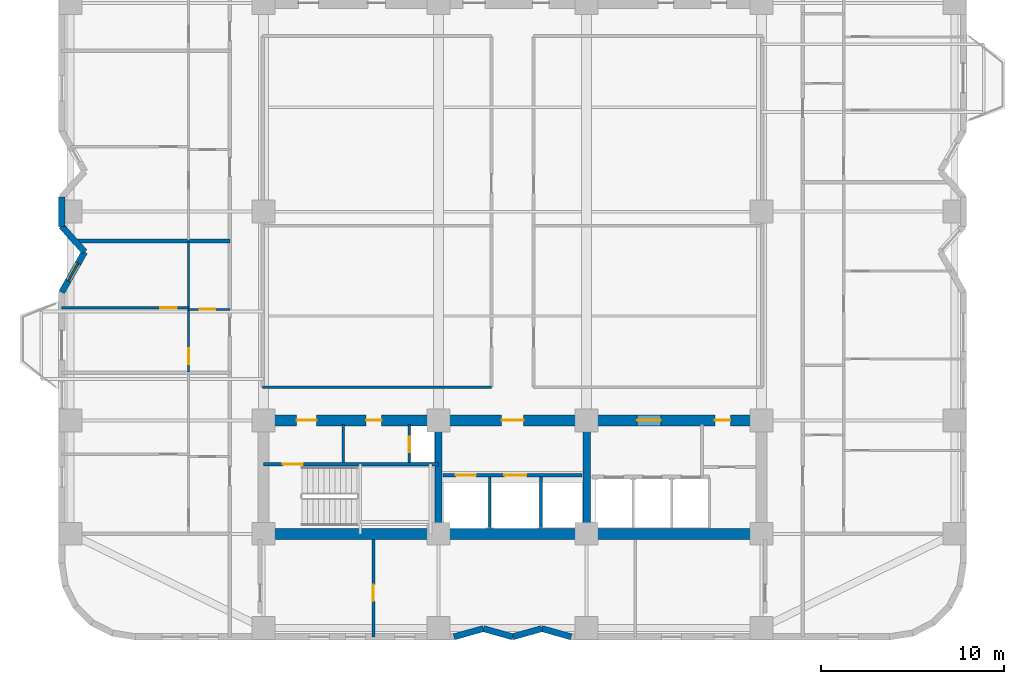
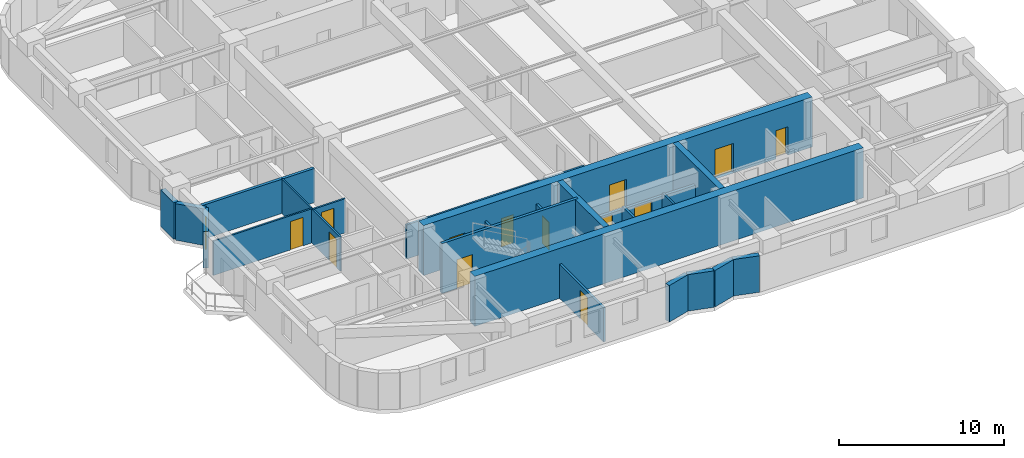
# One storey, part 3 of 9: 23 walls, 13 doors, 1 window, 14 openings.
"""IFC4 building model written with IfcOpenShell, lengths in metres."""

from ifc_helpers import new_model, si_unit, direction, frame, frame_2d, origin, place, context, subcontext, project, spatial, rectangle, extrude, material, layer, layer_set, type_object, element, fill, save


model = new_model("IFC4")

# Units and contexts
model_context = context("Model", 3, precision=1e-05, world=origin(), true_north=direction((0.0, 1.0)))
body_context = subcontext(model_context, "Body", "Model", "MODEL_VIEW")
ifc_project = project(units=[si_unit("LENGTHUNIT", "METRE"), si_unit("AREAUNIT", "SQUARE_METRE"), si_unit("VOLUMEUNIT", "CUBIC_METRE"), si_unit("PLANEANGLEUNIT", "RADIAN"), si_unit("MASSUNIT", "GRAM", prefix="KILO")], contexts=[model_context])

# Site, building, storey
site_placement = place(None, origin())
site = spatial("IfcSite", under=ifc_project, at=site_placement, CompositionType="ELEMENT")
building_placement = place(site_placement, origin())
building = spatial("IfcBuilding", under=site, at=building_placement, Name="Svetorya Sky Lyceum", CompositionType="ELEMENT")
storey_placement = place(building_placement, frame((0.0, 0.0, 54.699951171875)))
storey = spatial("IfcBuildingStorey", under=building, at=storey_placement, Name="L13", CompositionType="ELEMENT", Elevation=54.699951171875)

# Walls
ifc_material_1 = material(Name="Concrete C40/50", Category="concrete")
ifc_layer_1 = layer(ifc_material_1, 0.39990234375)
ifc_layer_set_1 = layer_set([ifc_layer_1], Name="Concrete C40/50")
wall_type_1 = type_object("IfcWallType", Name="WL-CORE-400", PredefinedType="SHEAR", material=ifc_layer_set_1)
for number, where, z_axis, x_axis, name in (
    (1, (35.14990234375, 10.89990234375, 0.0), (0.0, 0.0, 1.0), (0.0, 1.0, 0.0), "L13 SC Internal Shear Web WEB1"),
    (2, (43.25, 10.89990234375, 0.0), (0.0, 0.0, 1.0), (0.0, 1.0, 0.0), "L13 SC Internal Shear Web WEB2"),
):
    element("IfcWall", number, at=place(storey_placement, frame(where, z_axis=z_axis, x_axis=x_axis)), inside=storey, type_object=wall_type_1, Name=name, PredefinedType="SHEAR", context=body_context, shape_type="SweptSolid", body=[
        extrude(rectangle(XDim=5.60009765625, YDim=0.39990234375, at=frame_2d((2.800048828125, 0.0))), origin(), (0.0, 0.0, 1.0), 3.699951171875),
    ])
ifc_material_2 = material(Name="Concrete C60/75", Category="concrete")
ifc_layer_2 = layer(ifc_material_2, 0.60009765625)
ifc_layer_set_2 = layer_set([ifc_layer_2], Name="Concrete C60/75")
wall_type_2 = type_object("IfcWallType", Name="WL-CORE-600", PredefinedType="SHEAR", material=ifc_layer_set_2)
wall_1_placement = place(storey_placement, frame((52.800048828125, 10.60009765625, 0.0), z_axis=(0.0, 0.0, 1.0), x_axis=(-1.0, 0.0, 0.0)))
element("IfcWall", 3, at=wall_1_placement, inside=storey, type_object=wall_type_2, Name="L13 SC Outer Core Shear Wall", PredefinedType="SHEAR", context=body_context, shape_type="SweptSolid", body=[
    extrude(rectangle(XDim=27.199951171875, YDim=0.60009765625, at=frame_2d((13.60009765625, 0.0))), origin(), (0.0, 0.0, 1.0), 3.699951171875),
])

# Wall, openings, doors
wall_2_placement = place(storey_placement, frame((25.60009765625, 16.800048828125, 0.0), z_axis=(0.0, 0.0, 1.0), x_axis=(1.0, 0.0, 0.0)))
wall_2 = element("IfcWall", 4, at=wall_2_placement, inside=storey, type_object=wall_type_2, Name="L13 SC Inner Core Shear Wall", PredefinedType="SHEAR", context=body_context, shape_type="SweptSolid", body=[
    extrude(rectangle(XDim=27.199951171875, YDim=0.60009765625, at=frame_2d((13.60009765625, 0.0))), origin(), (0.0, 0.0, 1.0), 3.699951171875),
])
opening_1_placement = place(wall_2_placement, frame((1.800048828125, 0.0, 0.0)))
opening_1 = element("IfcOpeningElement", 5, at=opening_1_placement, cuts=wall_2, Name="Opening D-ST1", PredefinedType="OPENING", context=body_context, shape_type="SweptSolid", body=[
    extrude(rectangle(XDim=1.10009765625, YDim=2.14990234375, at=frame_2d((0.550048828125, 1.074951171875))), frame((0.0, 0.31005859375, 0.0), z_axis=(0.0, -1.0, 0.0), x_axis=(1.0, 0.0, 0.0)), (0.0, 0.0, 1.0), 0.6201171875),
])
opening_2_placement = place(wall_2_placement, frame((5.60009765625, 0.0, 0.0)))
opening_2 = element("IfcOpeningElement", 6, at=opening_2_placement, cuts=wall_2, Name="Opening D-CWC1", PredefinedType="OPENING", context=body_context, shape_type="SweptSolid", body=[
    extrude(rectangle(XDim=0.85009765625, YDim=2.10009765625, at=frame_2d((0.425048828125, 1.050048828125))), frame((0.0, 0.31005859375, 0.0), z_axis=(0.0, -1.0, 0.0), x_axis=(1.0, 0.0, 0.0)), (0.0, 0.0, 1.0), 0.6201171875),
])
opening_3_placement = place(wall_2_placement, frame((13.0, 0.0, 0.0)))
opening_3 = element("IfcOpeningElement", 7, at=opening_3_placement, cuts=wall_2, Name="Opening D-FL1", PredefinedType="OPENING", context=body_context, shape_type="SweptSolid", body=[
    extrude(rectangle(XDim=1.199951171875, YDim=2.14990234375, at=frame_2d((0.60009765625, 1.074951171875))), frame((0.0, 0.31005859375, 0.0), z_axis=(0.0, -1.0, 0.0), x_axis=(1.0, 0.0, 0.0)), (0.0, 0.0, 1.0), 0.6201171875),
])
opening_4_placement = place(wall_2_placement, frame((20.39990234375, 0.0, 0.0)))
opening_4 = element("IfcOpeningElement", 8, at=opening_4_placement, cuts=wall_2, Name="Opening D-LB1", PredefinedType="OPENING", context=body_context, shape_type="SweptSolid", body=[
    extrude(rectangle(XDim=1.300048828125, YDim=2.199951171875, at=frame_2d((0.64990234375, 1.10009765625))), frame((0.0, 0.31005859375, 0.0), z_axis=(0.0, -1.0, 0.0), x_axis=(1.0, 0.0, 0.0)), (0.0, 0.0, 1.0), 0.6201171875),
])
opening_5_placement = place(wall_2_placement, frame((24.64990234375, 0.0, 0.0)))
opening_5 = element("IfcOpeningElement", 9, at=opening_5_placement, cuts=wall_2, Name="Opening D-CWC1", PredefinedType="OPENING", context=body_context, shape_type="SweptSolid", body=[
    extrude(rectangle(XDim=0.85009765625, YDim=2.10009765625, at=frame_2d((0.425048828125, 1.050048828125))), frame((0.0, 0.31005859375, 0.0), z_axis=(0.0, -1.0, 0.0), x_axis=(1.0, 0.0, 0.0)), (0.0, 0.0, 1.0), 0.6201171875),
])
ifc_material_3 = material(Name="Fire-rated galvanized steel core service closet door", Category="steel")
door_type_1 = type_object("IfcDoorType", Name="DR-CWET-850", OperationType="SINGLE_SWING_LEFT", PredefinedType="DOOR", material=ifc_material_3)
door_1_placement = place(opening_2_placement, origin())
door_1 = element("IfcDoor", 10, at=door_1_placement, inside=storey, type_object=door_type_1, Name="L13 South Hydrant Room Door", OperationType="SINGLE_SWING_LEFT", OverallHeight=2.10009765625, OverallWidth=0.85009765625, PredefinedType="DOOR", context=body_context, shape_type="SweptSolid", body=[
    extrude(rectangle(XDim=0.85009765625, YDim=2.10009765625, at=frame_2d((0.425048828125, 1.050048828125))), frame((0.0, 0.02490234375, 0.0), z_axis=(0.0, -1.0, 0.0), x_axis=(1.0, 0.0, 0.0)), (0.0, 0.0, 1.0), 0.050048828125),
])
fill(opening_2, door_1)
door_2_placement = place(opening_5_placement, origin())
door_2 = element("IfcDoor", 11, at=door_2_placement, inside=storey, type_object=door_type_1, Name="L13 South Core Auxiliary Door", OperationType="SINGLE_SWING_LEFT", OverallHeight=2.10009765625, OverallWidth=0.85009765625, PredefinedType="DOOR", context=body_context, shape_type="SweptSolid", body=[
    extrude(rectangle(XDim=0.85009765625, YDim=2.10009765625, at=frame_2d((0.425048828125, 1.050048828125))), frame((0.0, 0.02490234375, 0.0), z_axis=(0.0, -1.0, 0.0), x_axis=(1.0, 0.0, 0.0)), (0.0, 0.0, 1.0), 0.050048828125),
])
fill(opening_5, door_2)
ifc_material_4 = material(Name="Powder-coated insulated galvanized stair fire door")
door_type_2 = type_object("IfcDoorType", Name="DR-FIRE-1100", OperationType="SINGLE_SWING_LEFT", PredefinedType="DOOR", material=ifc_material_4)
door_3_placement = place(opening_1_placement, origin())
door_3 = element("IfcDoor", 12, at=door_3_placement, inside=storey, type_object=door_type_2, Name="L13 South Stair Airlock Door", OperationType="SINGLE_SWING_RIGHT", OverallHeight=2.14990234375, OverallWidth=1.10009765625, PredefinedType="DOOR", context=body_context, shape_type="SweptSolid", body=[
    extrude(rectangle(XDim=1.10009765625, YDim=2.14990234375, at=frame_2d((0.550048828125, 1.074951171875))), frame((0.0, 0.02490234375, 0.0), z_axis=(0.0, -1.0, 0.0), x_axis=(1.0, 0.0, 0.0)), (0.0, 0.0, 1.0), 0.050048828125),
])
fill(opening_1, door_3)
ifc_material_5 = material(Name="Powder-coated insulated galvanized fire door")
door_type_3 = type_object("IfcDoorType", Name="DR-FIRE-1200", OperationType="SINGLE_SWING_LEFT", PredefinedType="DOOR", material=ifc_material_5)
door_4_placement = place(opening_3_placement, origin())
door_4 = element("IfcDoor", 13, at=door_4_placement, inside=storey, type_object=door_type_3, Name="L13 South Firefighting Lift Lobby Door", OperationType="SINGLE_SWING_LEFT", OverallHeight=2.14990234375, OverallWidth=1.199951171875, PredefinedType="DOOR", context=body_context, shape_type="SweptSolid", body=[
    extrude(rectangle(XDim=1.199951171875, YDim=2.14990234375, at=frame_2d((0.60009765625, 1.074951171875))), frame((0.0, 0.02490234375, 0.0), z_axis=(0.0, -1.0, 0.0), x_axis=(1.0, 0.0, 0.0)), (0.0, 0.0, 1.0), 0.050048828125),
])
fill(opening_3, door_4)
ifc_material_6 = material(Name="Glazed fire-rated aluminium lobby door", Category="aluminium")
door_type_4 = type_object("IfcDoorType", Name="DR-LOB-1300", OperationType="SINGLE_SWING_LEFT", PredefinedType="DOOR", material=ifc_material_6)
door_5_placement = place(opening_4_placement, origin())
door_5 = element("IfcDoor", 14, at=door_5_placement, inside=storey, type_object=door_type_4, Name="L13 Low-Rise Lift Lobby Door", OperationType="SINGLE_SWING_RIGHT", OverallHeight=2.199951171875, OverallWidth=1.300048828125, PredefinedType="DOOR", context=body_context, shape_type="SweptSolid", body=[
    extrude(rectangle(XDim=1.300048828125, YDim=2.199951171875, at=frame_2d((0.64990234375, 1.10009765625))), frame((0.0, 0.02490234375, 0.0), z_axis=(0.0, -1.0, 0.0), x_axis=(1.0, 0.0, 0.0)), (0.0, 0.0, 1.0), 0.050048828125),
])
fill(opening_4, door_5)

# Walls
ifc_material_7 = material(Name="Putilovo limestone rainscreen on autoclaved cellular masonry", Category="masonry")
ifc_layer_3 = layer(ifc_material_7, 0.340087890625)
ifc_layer_set_3 = layer_set([ifc_layer_3], Name="Putilovo limestone rainscreen on autoclaved cellular masonry")
wall_type_3 = type_object("IfcWallType", Name="WL-EXT-340", PredefinedType="SOLIDWALL", material=ifc_layer_set_3)
wall_3_placement = place(storey_placement, frame((36.0, 4.969970703125, 0.0), z_axis=(0.0, 0.0, 1.0), x_axis=(0.962662902433, 0.270703040766, 0.0)))
element("IfcWall", 15, at=wall_3_placement, inside=storey, type_object=wall_type_3, Name="L13 Limestone Exterior Wall 7M", PredefinedType="SOLIDWALL", context=body_context, shape_type="SweptSolid", body=[
    extrude(rectangle(XDim=1.662109375, YDim=0.340087890625, at=frame_2d((0.8310546875, 0.0))), origin(), (0.0, 0.0, 1.0), 2.699951171875),
])
wall_4_placement = place(storey_placement, frame((37.60009765625, 5.419921875, 0.0), z_axis=(0.0, 0.0, 1.0), x_axis=(0.962652136636, -0.270741322725, 0.0)))
element("IfcWall", 16, at=wall_4_placement, inside=storey, type_object=wall_type_3, Name="L13 Limestone Exterior Wall 8M", PredefinedType="SOLIDWALL", context=body_context, shape_type="SweptSolid", body=[
    extrude(rectangle(XDim=1.661865234375, YDim=0.340087890625, at=frame_2d((0.8310546875, 0.0))), origin(), (0.0, 0.0, 1.0), 2.699951171875),
])
wall_5_placement = place(storey_placement, frame((39.199951171875, 4.969970703125, 0.0), z_axis=(0.0, 0.0, 1.0), x_axis=(0.962662902433, 0.270703040766, 0.0)))
element("IfcWall", 17, at=wall_5_placement, inside=storey, type_object=wall_type_3, Name="L13 Limestone Exterior Wall 9M", PredefinedType="SOLIDWALL", context=body_context, shape_type="SweptSolid", body=[
    extrude(rectangle(XDim=1.662109375, YDim=0.340087890625, at=frame_2d((0.8310546875, 0.0))), origin(), (0.0, 0.0, 1.0), 2.699951171875),
])
wall_6_placement = place(storey_placement, frame((40.800048828125, 5.419921875, 0.0), z_axis=(0.0, 0.0, 1.0), x_axis=(0.962652136636, -0.270741322725, 0.0)))
element("IfcWall", 18, at=wall_6_placement, inside=storey, type_object=wall_type_3, Name="L13 Limestone Exterior Wall 10M", PredefinedType="SOLIDWALL", context=body_context, shape_type="SweptSolid", body=[
    extrude(rectangle(XDim=1.661865234375, YDim=0.340087890625, at=frame_2d((0.8310546875, 0.0))), origin(), (0.0, 0.0, 1.0), 2.699951171875),
])
wall_7_placement = place(storey_placement, frame((14.570068359375, 29.0, 0.0), z_axis=(0.0, 0.0, 1.0), x_axis=(0.0, -1.0, 0.0)))
element("IfcWall", 19, at=wall_7_placement, inside=storey, type_object=wall_type_3, Name="L13 Limestone Exterior Wall 43M", PredefinedType="SOLIDWALL", context=body_context, shape_type="SweptSolid", body=[
    extrude(rectangle(XDim=1.60009765625, YDim=0.340087890625, at=frame_2d((0.800048828125, 0.0))), origin(), (0.0, 0.0, 1.0), 2.699951171875),
])
wall_8_placement = place(storey_placement, frame((14.570068359375, 27.39990234375, 0.0), z_axis=(0.0, 0.0, 1.0), x_axis=(0.666041619974, -0.74591457987, 0.0)))
element("IfcWall", 20, at=wall_8_placement, inside=storey, type_object=wall_type_3, Name="L13 Limestone Exterior Wall 44M", PredefinedType="SOLIDWALL", context=body_context, shape_type="SweptSolid", body=[
    extrude(rectangle(XDim=1.876708984375, YDim=0.340087890625, at=frame_2d((0.9384765625, 0.0))), origin(), (0.0, 0.0, 1.0), 2.699951171875),
])

# Wall, opening, window
wall_9_placement = place(storey_placement, frame((15.820068359375, 26.0, 0.0), z_axis=(0.0, 0.0, 1.0), x_axis=(-0.494017696272, -0.869451847873, 0.0)))
wall_9 = element("IfcWall", 21, at=wall_9_placement, inside=storey, type_object=wall_type_3, Name="L13 Limestone Exterior Wall 45M", PredefinedType="SOLIDWALL", context=body_context, shape_type="SweptSolid", body=[
    extrude(rectangle(XDim=2.5302734375, YDim=0.340087890625, at=frame_2d((1.26513671875, 0.0))), origin(), (0.0, 0.0, 1.0), 2.699951171875),
])
opening_6_placement = place(wall_9_placement, frame((0.715087890625, 0.0, 0.889892578125)))
opening_6 = element("IfcOpeningElement", 22, at=opening_6_placement, cuts=wall_9, Name="Opening W-R3", PredefinedType="OPENING", context=body_context, shape_type="SweptSolid", body=[
    extrude(rectangle(XDim=1.10009765625, YDim=1.64990234375, at=frame_2d((0.550048828125, 0.824951171875))), frame((0.0, 0.179931640625, 0.0), z_axis=(0.0, -1.0, 0.0), x_axis=(1.0, 0.0, 0.0)), (0.0, 0.0, 1.0), 0.360107421875),
])
ifc_material_8 = material(Name="Thermally broken aluminium frame with triple low-E glazing", Category="aluminium")
window_type = type_object("IfcWindowType", Name="WN-RES-110", PartitioningType="SINGLE_PANEL", PredefinedType="WINDOW", material=ifc_material_8)
window_placement = place(opening_6_placement, origin())
window = element("IfcWindow", 23, at=window_placement, inside=storey, type_object=window_type, Name="L13 Facade Window W-R3.45M.1", OverallHeight=1.64990234375, OverallWidth=1.10009765625, PartitioningType="SINGLE_PANEL", PredefinedType="WINDOW", context=body_context, shape_type="SweptSolid", body=[
    extrude(rectangle(XDim=1.10009765625, YDim=1.64990234375, at=frame_2d((0.550048828125, 0.824951171875))), frame((0.0, 0.030029296875, 0.0), z_axis=(0.0, -1.0, 0.0), x_axis=(1.0, 0.0, 0.0)), (0.0, 0.0, 1.0), 0.06005859375),
])
fill(opening_6, window)

# Wall, opening, door
ifc_material_9 = material(Name="Twin-stud galvanized framing with double fireboard", Category="gypsum")
ifc_layer_4 = layer(ifc_material_9, 0.1201171875)
ifc_layer_set_4 = layer_set([ifc_layer_4], Name="Twin-stud galvanized framing with double fireboard")
wall_type_4 = type_object("IfcWallType", Name="WL-PART-120", PredefinedType="PARTITIONING", material=ifc_layer_set_4)
wall_10_placement = place(storey_placement, frame((21.5, 22.860107421875, 0.0), z_axis=(0.0, 0.0, 1.0), x_axis=(1.0, 0.0, 0.0)))
wall_10 = element("IfcWall", 24, at=wall_10_placement, inside=storey, type_object=wall_type_4, Name="L13 Interior Partition W2-WH1", PredefinedType="PARTITIONING", context=body_context, shape_type="SweptSolid", body=[
    extrude(rectangle(XDim=2.25, YDim=0.1201171875, at=frame_2d((1.125, 0.0))), origin(), (0.0, 0.0, 1.0), 2.530029296875),
])
opening_7_placement = place(wall_10_placement, frame((0.60009765625, 0.0, 0.0)))
opening_7 = element("IfcOpeningElement", 25, at=opening_7_placement, cuts=wall_10, Name="Opening D-BT1", PredefinedType="OPENING", context=body_context, shape_type="SweptSolid", body=[
    extrude(rectangle(XDim=0.85009765625, YDim=2.10009765625, at=frame_2d((0.425048828125, 1.050048828125))), frame((0.0, 0.070068359375, 0.0), z_axis=(0.0, -1.0, 0.0), x_axis=(1.0, 0.0, 0.0)), (0.0, 0.0, 1.0), 0.14013671875),
])
ifc_material_10 = material(Name="Moisture-resistant laminate bathroom door")
door_type_5 = type_object("IfcDoorType", Name="DR-WET-850", OperationType="SINGLE_SWING_LEFT", PredefinedType="DOOR", material=ifc_material_10)
door_6_placement = place(opening_7_placement, origin())
door_6 = element("IfcDoor", 26, at=door_6_placement, inside=storey, type_object=door_type_5, Name="Apartment W2 Bathroom Door", OperationType="SINGLE_SWING_RIGHT", OverallHeight=2.10009765625, OverallWidth=0.85009765625, PredefinedType="DOOR", context=body_context, shape_type="SweptSolid", body=[
    extrude(rectangle(XDim=0.85009765625, YDim=2.10009765625, at=frame_2d((0.425048828125, 1.050048828125))), frame((0.0, 0.02490234375, 0.0), z_axis=(0.0, -1.0, 0.0), x_axis=(1.0, 0.0, 0.0)), (0.0, 0.0, 1.0), 0.050048828125),
])
fill(opening_7, door_6)

wall_11_placement = place(storey_placement, frame((14.570068359375, 22.949951171875, 0.0), z_axis=(0.0, 0.0, 1.0), x_axis=(1.0, 0.0, 0.0)))
wall_11 = element("IfcWall", 27, at=wall_11_placement, inside=storey, type_object=wall_type_4, Name="L13 Interior Partition W2-WL1", PredefinedType="PARTITIONING", context=body_context, shape_type="SweptSolid", body=[
    extrude(rectangle(XDim=6.929931640625, YDim=0.1201171875, at=frame_2d((3.46484375, 0.0))), origin(), (0.0, 0.0, 1.0), 2.530029296875),
])
opening_8_placement = place(wall_11_placement, frame((5.3798828125, 0.0, 0.0)))
opening_8 = element("IfcOpeningElement", 28, at=opening_8_placement, cuts=wall_11, Name="Opening D-RM1", PredefinedType="OPENING", context=body_context, shape_type="SweptSolid", body=[
    extrude(rectangle(XDim=0.89990234375, YDim=2.10009765625, at=frame_2d((0.449951171875, 1.050048828125))), frame((0.0, 0.070068359375, 0.0), z_axis=(0.0, -1.0, 0.0), x_axis=(1.0, 0.0, 0.0)), (0.0, 0.0, 1.0), 0.14013671875),
])
ifc_material_11 = material(Name="Lacquered birch veneer internal door")
door_type_6 = type_object("IfcDoorType", Name="DR-INT-900", OperationType="SINGLE_SWING_LEFT", PredefinedType="DOOR", material=ifc_material_11)
door_7_placement = place(opening_8_placement, origin())
door_7 = element("IfcDoor", 29, at=door_7_placement, inside=storey, type_object=door_type_6, Name="Apartment W2 Bedroom 1 Door", OperationType="SINGLE_SWING_RIGHT", OverallHeight=2.10009765625, OverallWidth=0.89990234375, PredefinedType="DOOR", context=body_context, shape_type="SweptSolid", body=[
    extrude(rectangle(XDim=0.89990234375, YDim=2.10009765625, at=frame_2d((0.449951171875, 1.050048828125))), frame((0.0, 0.02490234375, 0.0), z_axis=(0.0, -1.0, 0.0), x_axis=(1.0, 0.0, 0.0)), (0.0, 0.0, 1.0), 0.050048828125),
])
fill(opening_8, door_7)

wall_12_placement = place(storey_placement, frame((21.5, 19.43994140625, 0.0), z_axis=(0.0, 0.0, 1.0), x_axis=(0.0, 1.0, 0.0)))
wall_12 = element("IfcWall", 30, at=wall_12_placement, inside=storey, type_object=wall_type_4, Name="L13 Interior Partition W2-WV", PredefinedType="PARTITIONING", context=body_context, shape_type="SweptSolid", body=[
    extrude(rectangle(XDim=7.1201171875, YDim=0.1201171875, at=frame_2d((3.56005859375, 0.0))), origin(), (0.0, 0.0, 1.0), 2.530029296875),
])
opening_9_placement = place(wall_12_placement, frame((0.409912109375, 0.0, 0.0)))
opening_9 = element("IfcOpeningElement", 31, at=opening_9_placement, cuts=wall_12, Name="Opening D-RM1", PredefinedType="OPENING", context=body_context, shape_type="SweptSolid", body=[
    extrude(rectangle(XDim=0.89990234375, YDim=2.10009765625, at=frame_2d((0.449951171875, 1.050048828125))), frame((0.0, 0.070068359375, 0.0), z_axis=(0.0, -1.0, 0.0), x_axis=(1.0, 0.0, 0.0)), (0.0, 0.0, 1.0), 0.14013671875),
])
door_8_placement = place(opening_9_placement, origin())
door_8 = element("IfcDoor", 32, at=door_8_placement, inside=storey, type_object=door_type_6, Name="Apartment W2 Living Door", OperationType="SINGLE_SWING_LEFT", OverallHeight=2.10009765625, OverallWidth=0.89990234375, PredefinedType="DOOR", context=body_context, shape_type="SweptSolid", body=[
    extrude(rectangle(XDim=0.89990234375, YDim=2.10009765625, at=frame_2d((0.449951171875, 1.050048828125))), frame((0.0, 0.02490234375, 0.0), z_axis=(0.0, -1.0, 0.0), x_axis=(1.0, 0.0, 0.0)), (0.0, 0.0, 1.0), 0.050048828125),
])
fill(opening_9, door_8)

# Wall
ifc_material_12 = material(Name="Autoclaved cellular masonry blockwork with acoustic render", Category="masonry")
ifc_layer_5 = layer(ifc_material_12, 0.14990234375)
ifc_layer_set_5 = layer_set([ifc_layer_5], Name="Autoclaved cellular masonry blockwork with acoustic render")
wall_type_5 = type_object("IfcWallType", Name="WL-PART-150", PredefinedType="PARTITIONING", material=ifc_layer_set_5)
wall_13_placement = place(storey_placement, frame((29.949951171875, 14.5, 0.0), z_axis=(0.0, 0.0, 1.0), x_axis=(0.0, 1.0, 0.0)))
element("IfcWall", 33, at=wall_13_placement, inside=storey, type_object=wall_type_5, Name="L13 Interior Partition SC-SWD1", PredefinedType="PARTITIONING", context=body_context, shape_type="SweptSolid", body=[
    extrude(rectangle(XDim=2.080078125, YDim=0.14990234375, at=frame_2d((1.0400390625, 0.0))), origin(), (0.0, 0.0, 1.0), 2.530029296875),
])

# Wall, opening, door
wall_14_placement = place(storey_placement, frame((33.550048828125, 14.5, 0.0), z_axis=(0.0, 0.0, 1.0), x_axis=(0.0, 1.0, 0.0)))
wall_14 = element("IfcWall", 34, at=wall_14_placement, inside=storey, type_object=wall_type_5, Name="L13 Interior Partition SC-SWD2", PredefinedType="PARTITIONING", context=body_context, shape_type="SweptSolid", body=[
    extrude(rectangle(XDim=2.080078125, YDim=0.14990234375, at=frame_2d((1.0400390625, 0.0))), origin(), (0.0, 0.0, 1.0), 2.530029296875),
])
opening_10_placement = place(wall_14_placement, frame((0.550048828125, 0.0, 0.0)))
opening_10 = element("IfcOpeningElement", 35, at=opening_10_placement, cuts=wall_14, Name="Opening D-SH1", PredefinedType="OPENING", context=body_context, shape_type="SweptSolid", body=[
    extrude(rectangle(XDim=0.85009765625, YDim=2.050048828125, at=frame_2d((0.425048828125, 1.02490234375))), frame((0.0, 0.0849609375, 0.0), z_axis=(0.0, -1.0, 0.0), x_axis=(1.0, 0.0, 0.0)), (0.0, 0.0, 1.0), 0.169921875),
])
ifc_material_13 = material(Name="Insulated galvanized riser inspection fire door")
door_type_7 = type_object("IfcDoorType", Name="DR-SHFT-850", OperationType="SINGLE_SWING_LEFT", PredefinedType="TRAPDOOR", material=ifc_material_13)
door_9_placement = place(opening_10_placement, origin())
door_9 = element("IfcDoor", 36, at=door_9_placement, inside=storey, type_object=door_type_7, Name="L13 South Riser Access Door", OperationType="SINGLE_SWING_RIGHT", OverallHeight=2.050048828125, OverallWidth=0.85009765625, PredefinedType="TRAPDOOR", context=body_context, shape_type="SweptSolid", body=[
    extrude(rectangle(XDim=0.85009765625, YDim=2.050048828125, at=frame_2d((0.425048828125, 1.02490234375))), frame((0.0, 0.02490234375, 0.0), z_axis=(0.0, -1.0, 0.0), x_axis=(1.0, 0.0, 0.0)), (0.0, 0.0, 1.0), 0.050048828125),
])
fill(opening_10, door_9)

# Walls
for number, where, z_axis, x_axis, name in (
    (37, (37.949951171875, 10.949951171875, 0.0), (0.0, 0.0, 1.0), (0.0, 1.0, 0.0), "L13 Interior Partition SC-SHD1"),
    (38, (40.75, 10.949951171875, 0.0), (0.0, 0.0, 1.0), (0.0, 1.0, 0.0), "L13 Interior Partition SC-SHD2"),
):
    element("IfcWall", number, at=place(storey_placement, frame(where, z_axis=z_axis, x_axis=x_axis)), inside=storey, type_object=wall_type_5, Name=name, PredefinedType="PARTITIONING", context=body_context, shape_type="SweptSolid", body=[
        extrude(rectangle(XDim=2.75, YDim=0.14990234375, at=frame_2d((1.375, 0.0))), origin(), (0.0, 0.0, 1.0), 2.530029296875),
    ])
wall_15_placement = place(storey_placement, frame((25.550048828125, 18.60009765625, 0.0), z_axis=(0.0, 0.0, 1.0), x_axis=(1.0, 0.0, 0.0)))
element("IfcWall", 39, at=wall_15_placement, inside=storey, type_object=wall_type_5, Name="L13 Interior Partition CS-MID-W", PredefinedType="PARTITIONING", context=body_context, shape_type="SweptSolid", body=[
    extrude(rectangle(XDim=12.5, YDim=0.14990234375, at=frame_2d((6.25, 0.0))), origin(), (0.0, 0.0, 1.0), 2.530029296875),
])

# Wall, opening, door
wall_16_placement = place(storey_placement, frame((31.60009765625, 4.969970703125, 0.0), z_axis=(0.0, 0.0, 1.0), x_axis=(0.0, 1.0, 0.0)))
wall_16 = element("IfcWall", 40, at=wall_16_placement, inside=storey, type_object=wall_type_5, Name="L13 Interior Partition S-D1", PredefinedType="PARTITIONING", context=body_context, shape_type="SweptSolid", body=[
    extrude(rectangle(XDim=5.330078125, YDim=0.14990234375, at=frame_2d((2.6650390625, 0.0))), origin(), (0.0, 0.0, 1.0), 2.530029296875),
])
opening_11_placement = place(wall_16_placement, frame((1.949951171875, 0.0, 0.0)))
opening_11 = element("IfcOpeningElement", 41, at=opening_11_placement, cuts=wall_16, Name="Opening D-RM1", PredefinedType="OPENING", context=body_context, shape_type="SweptSolid", body=[
    extrude(rectangle(XDim=0.89990234375, YDim=2.10009765625, at=frame_2d((0.449951171875, 1.050048828125))), frame((0.0, 0.0849609375, 0.0), z_axis=(0.0, -1.0, 0.0), x_axis=(1.0, 0.0, 0.0)), (0.0, 0.0, 1.0), 0.169921875),
])
door_10_placement = place(opening_11_placement, origin())
door_10 = element("IfcDoor", 42, at=door_10_placement, inside=storey, type_object=door_type_6, Name="L13 South Store Door", OperationType="SINGLE_SWING_LEFT", OverallHeight=2.10009765625, OverallWidth=0.89990234375, PredefinedType="DOOR", context=body_context, shape_type="SweptSolid", body=[
    extrude(rectangle(XDim=0.89990234375, YDim=2.10009765625, at=frame_2d((0.449951171875, 1.050048828125))), frame((0.0, 0.02490234375, 0.0), z_axis=(0.0, -1.0, 0.0), x_axis=(1.0, 0.0, 0.0)), (0.0, 0.0, 1.0), 0.050048828125),
])
fill(opening_11, door_10)

# Wall, openings, doors
ifc_material_14 = material(Name="Autoclaved cellular masonry blockwork with gypsum plaster", Category="masonry")
ifc_layer_6 = layer(ifc_material_14, 0.199951171875)
ifc_layer_set_6 = layer_set([ifc_layer_6], Name="Autoclaved cellular masonry blockwork with gypsum plaster")
wall_type_6 = type_object("IfcWallType", Name="WL-PART-200", PredefinedType="PARTITIONING", material=ifc_layer_set_6)
wall_17_placement = place(storey_placement, frame((35.39990234375, 13.800048828125, 0.0), z_axis=(0.0, 0.0, 1.0), x_axis=(1.0, 0.0, 0.0)))
wall_17 = element("IfcWall", 43, at=wall_17_placement, inside=storey, type_object=wall_type_6, Name="L13 Interior Partition SC-FLW", PredefinedType="PARTITIONING", context=body_context, shape_type="SweptSolid", body=[
    extrude(rectangle(XDim=7.60009765625, YDim=0.199951171875, at=frame_2d((3.800048828125, 0.0))), origin(), (0.0, 0.0, 1.0), 2.300048828125),
])
opening_12_placement = place(wall_17_placement, frame((0.699951171875, 0.0, 0.0)))
opening_12 = element("IfcOpeningElement", 44, at=opening_12_placement, cuts=wall_17, Name="Opening LD-FL", PredefinedType="OPENING", context=body_context, shape_type="SweptSolid", body=[
    extrude(rectangle(XDim=1.10009765625, YDim=2.14990234375, at=frame_2d((0.550048828125, 1.074951171875))), frame((0.0, 0.10986328125, 0.0), z_axis=(0.0, -1.0, 0.0), x_axis=(1.0, 0.0, 0.0)), (0.0, 0.0, 1.0), 0.219970703125),
])
opening_13_placement = place(wall_17_placement, frame((3.35009765625, 0.0, 0.0)))
opening_13 = element("IfcOpeningElement", 45, at=opening_13_placement, cuts=wall_17, Name="Opening LD-SV", PredefinedType="OPENING", context=body_context, shape_type="SweptSolid", body=[
    extrude(rectangle(XDim=1.199951171875, YDim=2.14990234375, at=frame_2d((0.60009765625, 1.074951171875))), frame((0.0, 0.10986328125, 0.0), z_axis=(0.0, -1.0, 0.0), x_axis=(1.0, 0.0, 0.0)), (0.0, 0.0, 1.0), 0.219970703125),
])
ifc_material_15 = material(Name="Fire-rated stainless AISI 304 firefighting lift landing door")
door_type_8 = type_object("IfcDoorType", Name="DR-LIFT-1100", OperationType="SLIDING_TO_LEFT", PredefinedType="DOOR", material=ifc_material_15)
door_11_placement = place(opening_12_placement, origin())
door_11 = element("IfcDoor", 46, at=door_11_placement, inside=storey, type_object=door_type_8, Name="L13 Firefighting Lift FL2 Landing Door", OperationType="SLIDING_TO_LEFT", OverallHeight=2.14990234375, OverallWidth=1.10009765625, PredefinedType="DOOR", context=body_context, shape_type="SweptSolid", body=[
    extrude(rectangle(XDim=1.10009765625, YDim=2.14990234375, at=frame_2d((0.550048828125, 1.074951171875))), frame((0.0, 0.02490234375, 0.0), z_axis=(0.0, -1.0, 0.0), x_axis=(1.0, 0.0, 0.0)), (0.0, 0.0, 1.0), 0.050048828125),
])
fill(opening_12, door_11)
ifc_material_16 = material(Name="Brushed stainless AISI 304 telescopic lift landing door")
door_type_9 = type_object("IfcDoorType", Name="DR-LIFT-1200", OperationType="SLIDING_TO_LEFT", PredefinedType="DOOR", material=ifc_material_16)
door_12_placement = place(opening_13_placement, origin())
door_12 = element("IfcDoor", 47, at=door_12_placement, inside=storey, type_object=door_type_9, Name="L13 Service Lift SVL1 Landing Door", OperationType="SLIDING_TO_LEFT", OverallHeight=2.14990234375, OverallWidth=1.199951171875, PredefinedType="DOOR", context=body_context, shape_type="SweptSolid", body=[
    extrude(rectangle(XDim=1.199951171875, YDim=2.14990234375, at=frame_2d((0.60009765625, 1.074951171875))), frame((0.0, 0.02490234375, 0.0), z_axis=(0.0, -1.0, 0.0), x_axis=(1.0, 0.0, 0.0)), (0.0, 0.0, 1.0), 0.050048828125),
])
fill(opening_13, door_12)

# Wall
wall_18_placement = place(storey_placement, frame((15.2841796875, 26.60009765625, 0.0), z_axis=(0.0, 0.0, 1.0), x_axis=(1.0, 0.0, 0.0)))
element("IfcWall", 48, at=wall_18_placement, inside=storey, type_object=wall_type_6, Name="L13 Interior Partition W-PARTY-2", PredefinedType="PARTITIONING", context=body_context, shape_type="SweptSolid", body=[
    extrude(rectangle(XDim=8.4658203125, YDim=0.199951171875, at=frame_2d((4.23291015625, 0.0))), origin(), (0.0, 0.0, 1.0), 2.530029296875),
])

# Wall, opening, door
ifc_material_17 = material(Name="Concrete C50/60", Category="concrete")
ifc_layer_7 = layer(ifc_material_17, 0.199951171875)
ifc_layer_set_7 = layer_set([ifc_layer_7], Name="Concrete C50/60")
wall_type_7 = type_object("IfcWallType", Name="WL-SHW-200", PredefinedType="SHEAR", material=ifc_layer_set_7)
wall_19_placement = place(storey_placement, frame((25.60009765625, 14.39990234375, 0.0), z_axis=(0.0, 0.0, 1.0), x_axis=(1.0, 0.0, 0.0)))
wall_19 = element("IfcWall", 49, at=wall_19_placement, inside=storey, type_object=wall_type_7, Name="L13 Structural Stair Shaft Wall SC-STW", PredefinedType="SHEAR", context=body_context, shape_type="SweptSolid", body=[
    extrude(rectangle(XDim=9.5498046875, YDim=0.199951171875, at=frame_2d((4.77490234375, 0.0))), origin(), (0.0, 0.0, 1.0), 3.699951171875),
])
opening_14_placement = place(wall_19_placement, frame((1.050048828125, 0.0, 0.0)))
opening_14 = element("IfcOpeningElement", 50, at=opening_14_placement, cuts=wall_19, Name="Opening D-ST1", PredefinedType="OPENING", context=body_context, shape_type="SweptSolid", body=[
    extrude(rectangle(XDim=1.10009765625, YDim=2.14990234375, at=frame_2d((0.550048828125, 1.074951171875))), frame((0.0, 0.10986328125, 0.0), z_axis=(0.0, -1.0, 0.0), x_axis=(1.0, 0.0, 0.0)), (0.0, 0.0, 1.0), 0.219970703125),
])
door_13_placement = place(opening_14_placement, origin())
door_13 = element("IfcDoor", 51, at=door_13_placement, inside=storey, type_object=door_type_2, Name="L13 Stair ST-S Vestibule Fire Door", OperationType="SINGLE_SWING_LEFT", OverallHeight=2.14990234375, OverallWidth=1.10009765625, PredefinedType="DOOR", context=body_context, shape_type="SweptSolid", body=[
    extrude(rectangle(XDim=1.10009765625, YDim=2.14990234375, at=frame_2d((0.550048828125, 1.074951171875))), frame((0.0, 0.02490234375, 0.0), z_axis=(0.0, -1.0, 0.0), x_axis=(1.0, 0.0, 0.0)), (0.0, 0.0, 1.0), 0.050048828125),
])
fill(opening_14, door_13)

save(model, "model.ifc")
